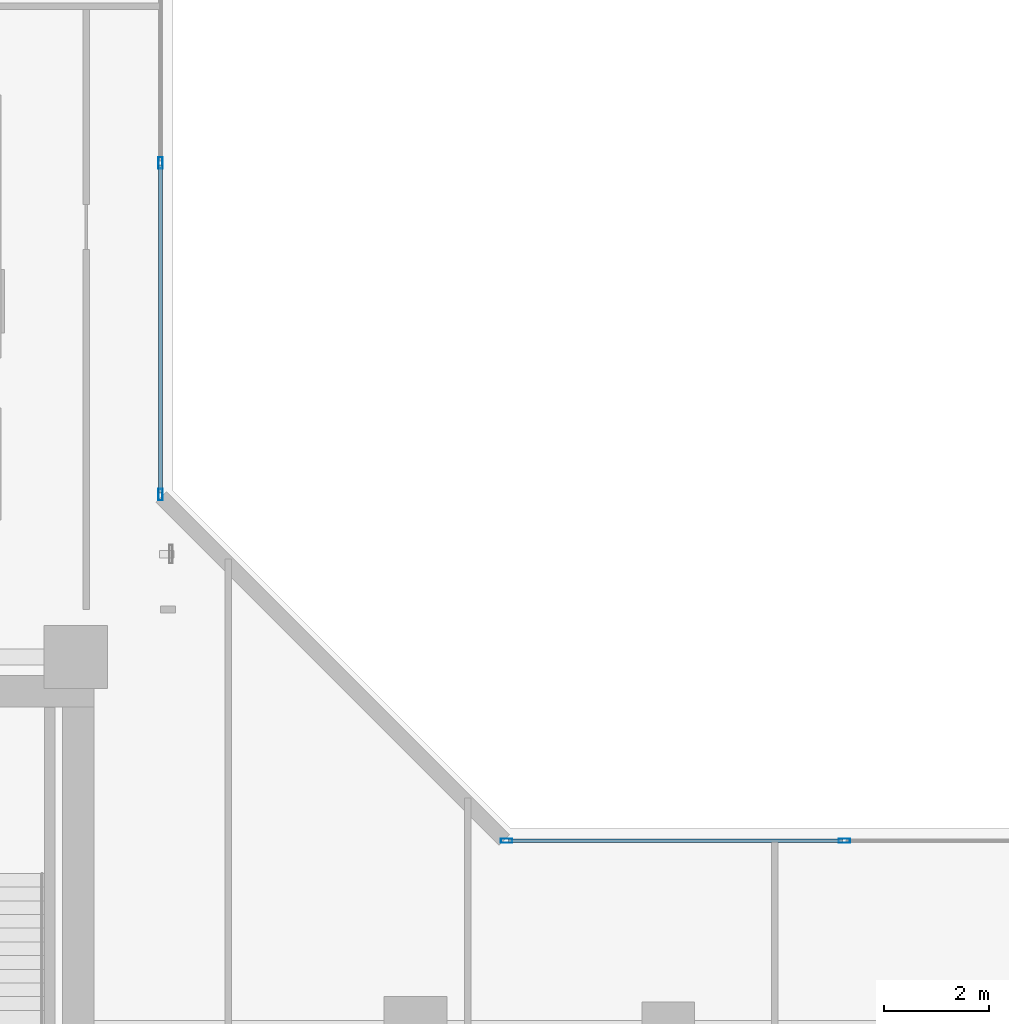
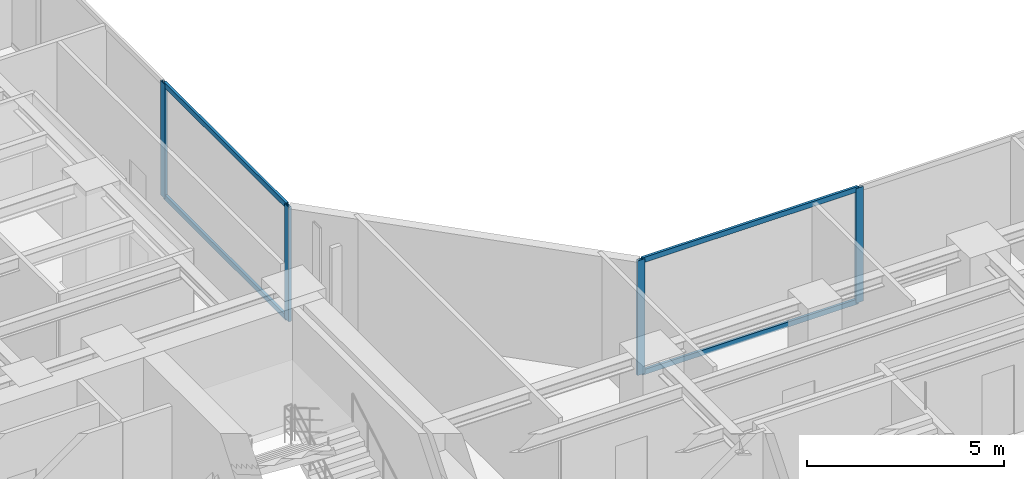
# One storey, part 9 of 26: 8 members, 2 elements without a shape of their own.
"""IFC4 building model written with IfcOpenShell, lengths in metres."""

import ifcopenshell
import ifcopenshell.guid

model = None  # the IFC model being written
_history = None  # IfcOwnerHistory: only IFC2X3 demands one
_inside = {}  # id of a spatial element -> (the spatial element, [elements in it])
_under = {}  # id of a project, library or spatial element -> (it, [spatial elements below it])
_declared = {}  # id of a project -> (the project, [libraries it declares])
_typed = {}  # id of a type object -> (the type object, [elements of that type])
_made_of = {}  # id of a material, layer set ... -> (it, [elements and type objects made of it])


def new_model(schema):
    """Start an empty IFC model of exactly this schema.

    Asked for "IFC4X3", IfcOpenShell would pick the latest addendum, in which some entities
    have other attributes; the version numbers below select the first issue.
    IFC2X3 requires an IfcOwnerHistory on every rooted entity: one is made here for all.
    """
    global model, _history
    if schema == "IFC4X3":
        model = ifcopenshell.file(schema_version=(4, 3, 0, 0))
    else:
        model = ifcopenshell.file(schema=schema)
    _inside.clear()
    _under.clear()
    _declared.clear()
    _typed.clear()
    _made_of.clear()
    _history = None
    if model.schema == "IFC2X3":
        org = make("IfcOrganization", Name="unknown")
        user = make(
            "IfcPersonAndOrganization",
            ThePerson=make("IfcPerson", FamilyName="unknown"),
            TheOrganization=org,
        )
        app = make(
            "IfcApplication",
            ApplicationDeveloper=org,
            Version="unknown",
            ApplicationFullName="unknown",
            ApplicationIdentifier="unknown",
        )
        _history = make(
            "IfcOwnerHistory",
            OwningUser=user,
            OwningApplication=app,
            ChangeAction="ADDED",
            CreationDate=0,
        )
    return model


def make(cls, **values):
    """One entity of the class cls with the attributes given. An attribute that is None is left unset."""
    return model.create_entity(
        cls, **{name: value for name, value in values.items() if value is not None}
    )


def rooted(cls, **values):
    """An entity with a GlobalId (a new one), such as an element, a storey or a relation."""
    return make(cls, GlobalId=ifcopenshell.guid.new(), OwnerHistory=_history, **values)


def si_unit(unit_type, name, prefix=None):
    """IfcSIUnit, for example si_unit("LENGTHUNIT", "METRE", prefix="MILLI")."""
    return make("IfcSIUnit", UnitType=unit_type, Prefix=prefix, Name=name)


def assignment(units):
    """IfcUnitAssignment: the units of a project."""
    return None if units is None else make("IfcUnitAssignment", Units=units)


def point(xyz):
    """IfcCartesianPoint."""
    return None if xyz is None else make("IfcCartesianPoint", Coordinates=xyz)


def direction(xyz):
    """IfcDirection."""
    return None if xyz is None else make("IfcDirection", DirectionRatios=xyz)


def frame(location, z_axis=None, x_axis=None):
    """IfcAxis2Placement3D, a coordinate frame: its origin and axes. An axis left out is left unset."""
    return make(
        "IfcAxis2Placement3D",
        Location=point(location),
        Axis=direction(z_axis),
        RefDirection=direction(x_axis),
    )


def frame_2d(location, x_axis=None):
    """IfcAxis2Placement2D, a coordinate frame in the plane: its origin and x axis."""
    return make(
        "IfcAxis2Placement2D", Location=point(location), RefDirection=direction(x_axis)
    )


def origin():
    """The frame at (0, 0, 0) with its axes left unset."""
    return frame((0.0, 0.0, 0.0))


def origin_with_axes():
    """The frame at (0, 0, 0) with the z axis (0, 0, 1) and the x axis (1, 0, 0) written out."""
    return frame((0.0, 0.0, 0.0), z_axis=(0.0, 0.0, 1.0), x_axis=(1.0, 0.0, 0.0))


def origin_2d():
    """The frame at (0, 0) in the plane with its x axis left unset."""
    return frame_2d((0.0, 0.0))


def place(relative_to, where):
    """IfcLocalPlacement: puts the frame where relative to a parent placement (None: the world)."""
    return make(
        "IfcLocalPlacement", PlacementRelTo=relative_to, RelativePlacement=where
    )


def context(
    kind, dimensions, precision=None, world=None, true_north=None, identifier=None
):
    """IfcGeometricRepresentationContext, for example the 3D "Model" context."""
    return make(
        "IfcGeometricRepresentationContext",
        ContextIdentifier=identifier,
        ContextType=kind,
        CoordinateSpaceDimension=dimensions,
        Precision=precision,
        WorldCoordinateSystem=world,
        TrueNorth=true_north,
    )


def subcontext(parent, identifier, kind, view, scale=None):
    """IfcGeometricRepresentationSubContext, for example "Body" below "Model"."""
    return make(
        "IfcGeometricRepresentationSubContext",
        ContextIdentifier=identifier,
        ContextType=kind,
        ParentContext=parent,
        TargetScale=scale,
        TargetView=view,
    )


def project(units=None, contexts=None):
    """IfcProject with its units and contexts."""
    return rooted(
        "IfcProject",
        Name="project",
        RepresentationContexts=contexts,
        UnitsInContext=assignment(units),
    )


def spatial(cls, under=None, at=None, **own):
    """A site, building, storey or space (cls), placed at a placement, below another one or the project."""
    s = rooted(cls, ObjectPlacement=at, **own)
    if under is not None:
        _under.setdefault(under.id(), (under, []))[1].append(s)
    return s


def profile(cls, at=None, kind="AREA", **sizes):
    """A parametric profile (cls). Its sizes go by their IFC names, for example OverallWidth=200.0."""
    return make(cls, ProfileType=kind, Position=at, **sizes)


def hollow_rectangle(**sizes):
    """IfcRectangleHollowProfileDef."""
    return profile("IfcRectangleHollowProfileDef", **sizes)


def extrude(swept, where, along, depth):
    """IfcExtrudedAreaSolid: the profile swept, set in the frame where, extruded along a direction by depth."""
    return make(
        "IfcExtrudedAreaSolid",
        SweptArea=swept,
        Position=where,
        ExtrudedDirection=direction(along),
        Depth=depth,
    )


def shape(context_of_items, identifier, shape_type, items):
    """IfcShapeRepresentation: the items that make up one representation, for example the "Body"."""
    return make(
        "IfcShapeRepresentation",
        ContextOfItems=context_of_items,
        RepresentationIdentifier=identifier,
        RepresentationType=shape_type,
        Items=items,
    )


def source(mapping_origin, context_of_items, identifier, shape_type, items):
    """IfcRepresentationMap: a shape defined once, which mapped items show again and again."""
    return make(
        "IfcRepresentationMap",
        MappingOrigin=mapping_origin,
        MappedRepresentation=shape(context_of_items, identifier, shape_type, items),
    )


def transform(
    local_origin,
    x_axis=None,
    y_axis=None,
    z_axis=None,
    scale=None,
    scale2=None,
    scale3=None,
    uniform=True,
):
    """IfcCartesianTransformationOperator3D, or its non-uniform kind. x_axis, y_axis, z_axis: its Axis1, 2, 3."""
    if uniform:
        return make(
            "IfcCartesianTransformationOperator3D",
            Axis1=direction(x_axis),
            Axis2=direction(y_axis),
            LocalOrigin=point(local_origin),
            Scale=scale,
            Axis3=direction(z_axis),
        )
    return make(
        "IfcCartesianTransformationOperator3DnonUniform",
        Axis1=direction(x_axis),
        Axis2=direction(y_axis),
        LocalOrigin=point(local_origin),
        Scale=scale,
        Axis3=direction(z_axis),
        Scale2=scale2,
        Scale3=scale3,
    )


def mapped(mapping_source, mapping_target):
    """IfcMappedItem: shows the shape of a source again, moved by a transform."""
    return make(
        "IfcMappedItem", MappingSource=mapping_source, MappingTarget=mapping_target
    )


def material(Name=None, Category=None):
    """IfcMaterial."""
    return make("IfcMaterial", Name=Name, Category=Category)


def layer(
    of_material, thickness, ventilated=None, Name=None, Category=None, Priority=None
):
    """IfcMaterialLayer: one layer of a wall or slab, of a material (None: an air gap)."""
    return make(
        "IfcMaterialLayer",
        Material=of_material,
        LayerThickness=thickness,
        IsVentilated=ventilated,
        Name=Name,
        Category=Category,
        Priority=Priority,
    )


def layer_set(layers, Name=None):
    """IfcMaterialLayerSet."""
    return make("IfcMaterialLayerSet", MaterialLayers=layers, LayerSetName=Name)


def material_profile(
    of_material, cross_section, Name=None, Category=None, Priority=None
):
    """IfcMaterialProfile: a cross section and its material."""
    return make(
        "IfcMaterialProfile",
        Name=Name,
        Material=of_material,
        Profile=cross_section,
        Priority=Priority,
        Category=Category,
    )


def profile_set(profiles, Name=None, composite=None):
    """IfcMaterialProfileSet."""
    return make(
        "IfcMaterialProfileSet",
        Name=Name,
        MaterialProfiles=profiles,
        CompositeProfile=composite,
    )


def made_of(thing, what):
    """Note that an element or type object is made of a material, layer set ...; save() writes the relation."""
    if what is not None:
        _made_of.setdefault(what.id(), (what, []))[1].append(thing)
    return thing


def type_object(cls, material=None, **own):
    """A type object (cls), such as IfcWallType, which elements share."""
    return made_of(rooted(cls, **own), material)


def element(
    cls,
    number,
    at=None,
    inside=None,
    cuts=None,
    type_object=None,
    material=None,
    context=None,
    identifier="Body",
    shape_type=None,
    held_by="IfcProductDefinitionShape",
    body=None,
    shapes=None,
    **own,
):
    """One element of the class cls, such as IfcWall. Its Tag is "e" and its number.

    at: its placement. inside: the storey or other place that contains it. cuts: it is an
    opening in that element (IfcRelVoidsElement). A single representation is given by context,
    identifier, shape_type and body (its items); several are given by shapes. held_by: the class
    of the entity that holds the representations. save() writes the other relations.
    """
    e = rooted(cls, Tag="e%d" % number, ObjectPlacement=at, **own)
    if body is not None:
        shapes = [shape(context, identifier, shape_type, body)]
    if shapes is not None:
        e.Representation = make(held_by, Representations=shapes)
    if inside is not None:
        _inside.setdefault(inside.id(), (inside, []))[1].append(e)
    if cuts is not None:
        rooted(
            "IfcRelVoidsElement", RelatingBuildingElement=cuts, RelatedOpeningElement=e
        )
    if type_object is not None:
        _typed.setdefault(type_object.id(), (type_object, []))[1].append(e)
    return made_of(e, material)


def aggregate(whole, parts):
    """IfcRelAggregates: a whole, such as a stair, and the parts it consists of."""
    return rooted("IfcRelAggregates", RelatingObject=whole, RelatedObjects=parts)


def save(model, path):
    """Write the relations noted so far, then the file.

    IfcRelAggregates (storeys below a building ...), IfcRelContainedInSpatialStructure (elements
    in a storey), IfcRelDefinesByType, IfcRelAssociatesMaterial and IfcRelDeclares: one each for
    every whole, place, type object, material and project.
    """
    for whole, parts in _under.values():
        aggregate(whole, parts)
    for where, things in _inside.values():
        rooted(
            "IfcRelContainedInSpatialStructure",
            RelatedElements=things,
            RelatingStructure=where,
        )
    for kind, things in _typed.values():
        rooted("IfcRelDefinesByType", RelatedObjects=things, RelatingType=kind)
    for what, things in _made_of.values():
        rooted("IfcRelAssociatesMaterial", RelatedObjects=things, RelatingMaterial=what)
    for by, libraries in _declared.values():
        rooted("IfcRelDeclares", RelatingContext=by, RelatedDefinitions=libraries)
    model.write(path)


model = new_model("IFC4")

# Units and contexts
model_context = context("Model", 3, precision=1e-05, world=origin(), true_north=direction((0.0, 1.0)))
body_context = subcontext(model_context, "Body", "Model", "MODEL_VIEW")
ifc_project = project(units=[si_unit("LENGTHUNIT", "METRE"), si_unit("AREAUNIT", "SQUARE_METRE"), si_unit("VOLUMEUNIT", "CUBIC_METRE"), si_unit("PLANEANGLEUNIT", "RADIAN"), si_unit("MASSUNIT", "GRAM", prefix="KILO")], contexts=[model_context])

# Site, building, storey
site_placement = place(None, origin())
site = spatial("IfcSite", under=ifc_project, at=site_placement, CompositionType="ELEMENT")
building_placement = place(site_placement, origin())
building = spatial("IfcBuilding", under=site, at=building_placement, Name="Kolvaren Waterfront Exchange", CompositionType="ELEMENT")
storey_placement = place(building_placement, frame((0.0, 0.0, 150.0)))
storey = spatial("IfcBuildingStorey", under=building, at=storey_placement, Name="L38", CompositionType="ELEMENT", Elevation=150.0)

# Curtain wall, members
ifc_material_1 = material(Name="Anodised bronze aluminium 6063-T6", Category="aluminium")
ifc_layer = layer(ifc_material_1, 0.219970703125, Name="Anodised bronze aluminium 6063-T6")
ifc_layer_set = layer_set([ifc_layer], Name="Anodised bronze aluminium 6063-T6")
curtain_wall_type = type_object("IfcCurtainWallType", Name="ARC-CW-SYS1", PredefinedType="USERDEFINED", material=ifc_layer_set)
curtain_wall_1_placement = place(storey_placement, origin())
curtain_wall_1 = element("IfcCurtainWall", 1, at=curtain_wall_1_placement, inside=storey, type_object=curtain_wall_type, Name="L38 stick curtain wall CW1 (CW-L38-NE)", ObjectType="STICK CURTAIN WALL", PredefinedType="USERDEFINED")
ifc_material_2 = material(Name="Anodised aluminium 6063-T6", Category="aluminium")
ifc_material_profile_1 = material_profile(ifc_material_2, hollow_rectangle(XDim=0.080078125, YDim=0.219970703125, WallThickness=0.0048828125, at=origin_2d()), Name="ALU-MUL-220x80x5")
ifc_profile_set_1 = profile_set([ifc_material_profile_1], Name="Anodised aluminium 6063-T6")
member_type_1 = type_object("IfcMemberType", Name="ARC-CWM-220", PredefinedType="MULLION", material=ifc_profile_set_1)
shared_shape_1 = source(origin_with_axes(), body_context, "Body", "SweptSolid", [
    extrude(hollow_rectangle(XDim=0.080078125, YDim=0.219970703125, WallThickness=0.0048828125, at=origin_2d()), origin(), (0.0, 0.0, 1.0), 3.56005859375),
])
member_1_placement = place(storey_placement, frame((22.360107421875, 27.530029296875, 0.0), z_axis=(0.0, 0.0, 1.0), x_axis=(-1.0, 0.0, 0.0)))
member_1 = element("IfcMember", 2, at=member_1_placement, type_object=member_type_1, Name="CW1 mullion 1", PredefinedType="MULLION", context=body_context, shape_type="MappedRepresentation", body=[
    mapped(shared_shape_1, transform((0.0, 0.0, 0.0), x_axis=(1.0, 0.0, 0.0), y_axis=(0.0, 1.0, 0.0), z_axis=(0.0, 0.0, 1.0), scale=1.0)),
])
member_2_placement = place(storey_placement, frame((22.360107421875, 33.82666015625, 0.0), z_axis=(0.0, 0.0, 1.0), x_axis=(-1.0, 0.0, 0.0)))
member_2 = element("IfcMember", 3, at=member_2_placement, type_object=member_type_1, Name="CW1 mullion 2", PredefinedType="MULLION", context=body_context, shape_type="MappedRepresentation", body=[
    mapped(shared_shape_1, transform((0.0, 0.0, 0.0), x_axis=(1.0, 0.0, 0.0), y_axis=(0.0, 1.0, 0.0), z_axis=(0.0, 0.0, 1.0), scale=1.0)),
])

curtain_wall_2_placement = place(storey_placement, origin())
curtain_wall_2 = element("IfcCurtainWall", 4, at=curtain_wall_2_placement, inside=storey, type_object=curtain_wall_type, Name="L38 stick curtain wall CW1 (CW-L38-EN)", ObjectType="STICK CURTAIN WALL", PredefinedType="USERDEFINED")
member_3_placement = place(storey_placement, frame((28.929931640625, 20.9599609375, 0.0), z_axis=(0.0, 0.0, 1.0), x_axis=(0.0, 1.0, 0.0)))
member_3 = element("IfcMember", 5, at=member_3_placement, type_object=member_type_1, Name="CW1 mullion 1", PredefinedType="MULLION", context=body_context, shape_type="MappedRepresentation", body=[
    mapped(shared_shape_1, transform((0.0, 0.0, 0.0), x_axis=(1.0, 0.0, 0.0), y_axis=(0.0, 1.0, 0.0), z_axis=(0.0, 0.0, 1.0), scale=1.0)),
])
member_4_placement = place(storey_placement, frame((35.342529296875, 20.9599609375, 0.0), z_axis=(0.0, 0.0, 1.0), x_axis=(0.0, 1.0, 0.0)))
member_4 = element("IfcMember", 6, at=member_4_placement, type_object=member_type_1, Name="CW1 mullion 2", PredefinedType="MULLION", context=body_context, shape_type="MappedRepresentation", body=[
    mapped(shared_shape_1, transform((0.0, 0.0, 0.0), x_axis=(1.0, 0.0, 0.0), y_axis=(0.0, 1.0, 0.0), z_axis=(0.0, 0.0, 1.0), scale=1.0)),
])

# Member
ifc_material_profile_2 = material_profile(ifc_material_2, hollow_rectangle(XDim=0.074951171875, YDim=0.159912109375, WallThickness=0.00439453125, at=origin_2d()), Name="ALU-TRN-160x75x4.5")
ifc_profile_set_2 = profile_set([ifc_material_profile_2], Name="Anodised aluminium 6063-T6")
member_type_2 = type_object("IfcMemberType", Name="ARC-CWT-160", PredefinedType="USERDEFINED", material=ifc_profile_set_2)
shared_shape_2 = source(origin_with_axes(), body_context, "Body", "SweptSolid", [
    extrude(hollow_rectangle(XDim=0.074951171875, YDim=0.159912109375, WallThickness=0.00439453125, at=origin_2d()), origin(), (0.0, 0.0, 1.0), 6.216552734375),
])
member_5_placement = place(storey_placement, frame((22.360107421875, 27.570068359375, 0.03759765625), z_axis=(0.0, 1.0, 0.0), x_axis=(-1.0, 0.0, 0.0)))
member_5 = element("IfcMember", 7, at=member_5_placement, type_object=member_type_2, Name="CW1 transom 1.1", ObjectType="TRANSOM", PredefinedType="USERDEFINED", context=body_context, shape_type="MappedRepresentation", body=[
    mapped(shared_shape_2, transform((0.0, 0.0, 0.0), x_axis=(1.0, 0.0, 0.0), y_axis=(0.0, 1.0, 0.0), z_axis=(0.0, 0.0, 1.0), scale=1.0)),
])

member_6_placement = place(storey_placement, frame((22.360107421875, 27.570068359375, 3.5224609375), z_axis=(0.0, 1.0, 0.0), x_axis=(-1.0, 0.0, 0.0)))
member_6 = element("IfcMember", 8, at=member_6_placement, type_object=member_type_2, Name="CW1 transom 1.2", ObjectType="TRANSOM", PredefinedType="USERDEFINED", context=body_context, shape_type="MappedRepresentation", body=[
    mapped(shared_shape_2, transform((0.0, 0.0, 0.0), x_axis=(1.0, 0.0, 0.0), y_axis=(0.0, 1.0, 0.0), z_axis=(0.0, 0.0, 1.0), scale=1.0)),
])

aggregate(curtain_wall_1, [member_1, member_2, member_5, member_6])

shared_shape_3 = source(origin_with_axes(), body_context, "Body", "SweptSolid", [
    extrude(hollow_rectangle(XDim=0.074951171875, YDim=0.159912109375, WallThickness=0.00439453125, at=origin_2d()), origin(), (0.0, 0.0, 1.0), 6.33251953125),
])
member_7_placement = place(storey_placement, frame((28.969970703125, 20.9599609375, 0.03759765625), z_axis=(1.0, 0.0, 0.0), x_axis=(0.0, 1.0, 0.0)))
member_7 = element("IfcMember", 9, at=member_7_placement, type_object=member_type_2, Name="CW1 transom 1.1", ObjectType="TRANSOM", PredefinedType="USERDEFINED", context=body_context, shape_type="MappedRepresentation", body=[
    mapped(shared_shape_3, transform((0.0, 0.0, 0.0), x_axis=(1.0, 0.0, 0.0), y_axis=(0.0, 1.0, 0.0), z_axis=(0.0, 0.0, 1.0), scale=1.0)),
])

member_8_placement = place(storey_placement, frame((28.969970703125, 20.9599609375, 3.5224609375), z_axis=(1.0, 0.0, 0.0), x_axis=(0.0, 1.0, 0.0)))
member_8 = element("IfcMember", 10, at=member_8_placement, type_object=member_type_2, Name="CW1 transom 1.2", ObjectType="TRANSOM", PredefinedType="USERDEFINED", context=body_context, shape_type="MappedRepresentation", body=[
    mapped(shared_shape_3, transform((0.0, 0.0, 0.0), x_axis=(1.0, 0.0, 0.0), y_axis=(0.0, 1.0, 0.0), z_axis=(0.0, 0.0, 1.0), scale=1.0)),
])

aggregate(curtain_wall_2, [member_3, member_4, member_7, member_8])

save(model, "model.ifc")
